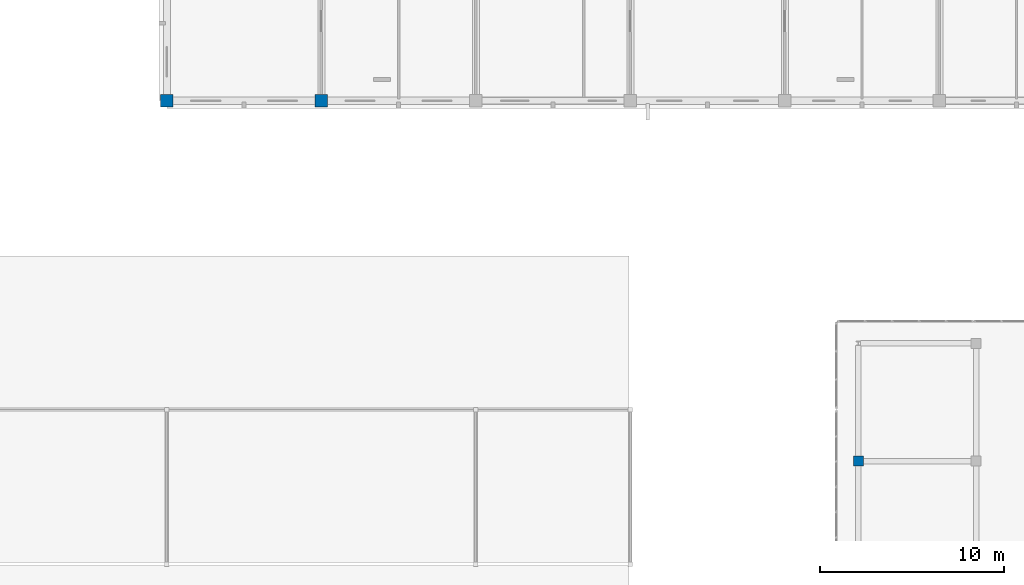
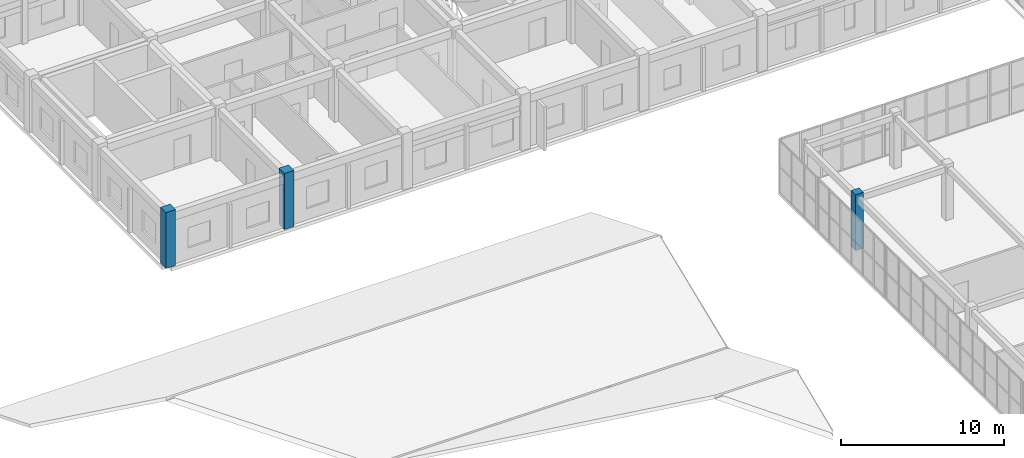
# One storey, part 7 of 140: 3 columns.
"""IFC4 building model written with IfcOpenShell, lengths in metres."""

from ifc_helpers import new_model, si_unit, direction, frame, origin, origin_2d, place, context, subcontext, project, spatial, rectangle, extrude, material, material_profile, profile_set, type_object, element, save


model = new_model("IFC4")

# Units and contexts
model_context = context("Model", 3, precision=1e-05, world=origin(), true_north=direction((0.0, 1.0)))
body_context = subcontext(model_context, "Body", "Model", "MODEL_VIEW")
ifc_project = project(units=[si_unit("LENGTHUNIT", "METRE"), si_unit("AREAUNIT", "SQUARE_METRE"), si_unit("VOLUMEUNIT", "CUBIC_METRE"), si_unit("PLANEANGLEUNIT", "RADIAN"), si_unit("MASSUNIT", "GRAM", prefix="KILO")], contexts=[model_context])

# Site, building, storey
site_placement = place(None, origin())
site = spatial("IfcSite", under=ifc_project, at=site_placement, CompositionType="ELEMENT")
building_placement = place(site_placement, origin())
building = spatial("IfcBuilding", under=site, at=building_placement, Name="Trelvath General Hospital", CompositionType="ELEMENT")
storey_placement = place(building_placement, frame((0.0, 0.0, 16.199951171875)))
storey = spatial("IfcBuildingStorey", under=building, at=storey_placement, Name="L04", CompositionType="ELEMENT", Elevation=16.199951171875)

# Columns
ifc_material_1 = material(Name="Concrete C40/50", Category="concrete")
ifc_material_profile_1 = material_profile(ifc_material_1, rectangle(XDim=0.550048828125, YDim=0.550048828125, at=origin_2d()), Name="RC550x550")
ifc_profile_set_1 = profile_set([ifc_material_profile_1], Name="Concrete C40/50")
column_type_1 = type_object("IfcColumnType", Name="Column RC550", PredefinedType="COLUMN", material=ifc_profile_set_1)
column_placement = place(storey_placement, frame((54.39990234375, 72.800048828125, 0.0), z_axis=(0.0, 0.0, 1.0), x_axis=(1.0, 0.0, 0.0)))
element("IfcColumn", 1, at=column_placement, inside=storey, type_object=column_type_1, Name="Cube Interior Column CC-W14 L04", PredefinedType="COLUMN", context=body_context, shape_type="SweptSolid", body=[
    extrude(rectangle(XDim=0.550048828125, YDim=0.550048828125, at=origin_2d()), origin(), (0.0, 0.0, 1.0), 4.199951171875),
])
ifc_material_2 = material(Name="Concrete C40/50", Category="concrete")
ifc_material_profile_2 = material_profile(ifc_material_2, rectangle(XDim=0.679931640625, YDim=0.679931640625, at=origin_2d()), Name="RC680x680")
ifc_profile_set_2 = profile_set([ifc_material_profile_2], Name="Concrete C40/50")
column_type_2 = type_object("IfcColumnType", Name="Column RC680", PredefinedType="COLUMN", material=ifc_profile_set_2)
for number, where, z_axis, x_axis, name in (
    (2, (16.800048828125, 92.39990234375, 0.0), (0.0, 0.0, 1.0), (1.0, 0.0, 0.0), "Column C-3L L04"),
    (3, (25.199951171875, 92.39990234375, 0.0), (0.0, 0.0, 1.0), (1.0, 0.0, 0.0), "Column C-4L L04"),
):
    element("IfcColumn", number, at=place(storey_placement, frame(where, z_axis=z_axis, x_axis=x_axis)), inside=storey, type_object=column_type_2, Name=name, PredefinedType="COLUMN", context=body_context, shape_type="SweptSolid", body=[
        extrude(rectangle(XDim=0.679931640625, YDim=0.679931640625, at=origin_2d()), origin(), (0.0, 0.0, 1.0), 4.199951171875),
    ])

save(model, "model.ifc")
